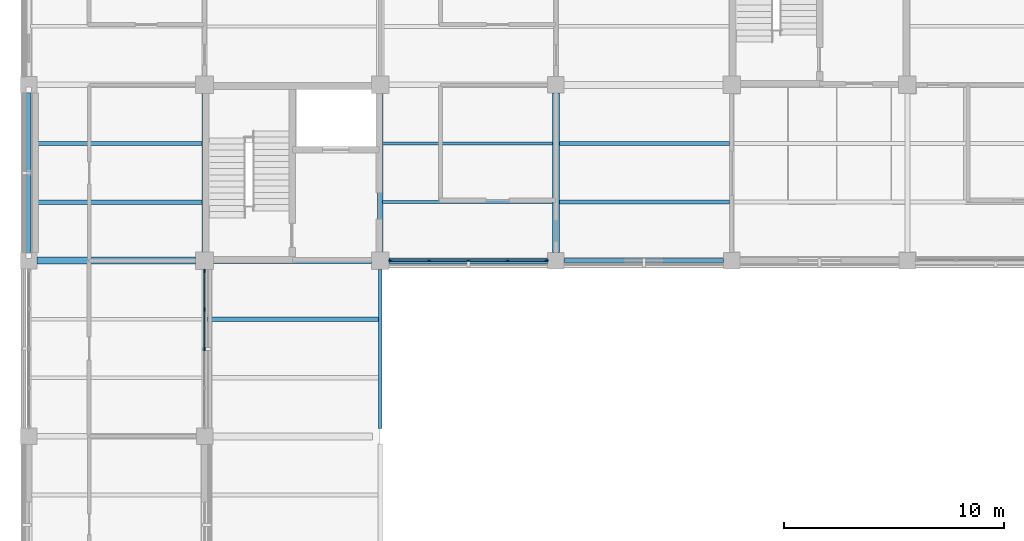
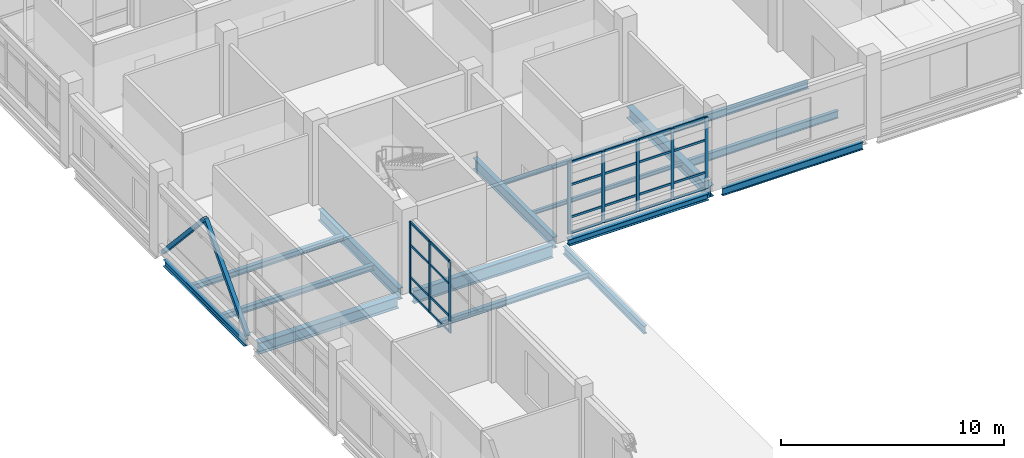
# One storey, part 32 of 121: 34 members, 16 beams, 2 elements without a shape of their own.
"""IFC4 building model written with IfcOpenShell, lengths in metres."""

from ifc_helpers import new_model, si_unit, derived_unit, direction, frame, origin, origin_2d, place, context, subcontext, project, spatial, rectangle, hollow_rectangle, i_section, extrude, material, layer, layer_set, material_profile, profile_set, type_object, element, aggregate, save


model = new_model("IFC4")

# Units and contexts
model_context = context("Model", 3, precision=1e-05, world=origin(), true_north=direction((0.0, 1.0)))
body_context = subcontext(model_context, "Body", "Model", "MODEL_VIEW")
ifc_project = project(units=[si_unit("LENGTHUNIT", "METRE"), si_unit("AREAUNIT", "SQUARE_METRE"), si_unit("VOLUMEUNIT", "CUBIC_METRE"), si_unit("PLANEANGLEUNIT", "RADIAN"), si_unit("MASSUNIT", "GRAM", prefix="KILO"), derived_unit("THERMALTRANSMITTANCEUNIT", [(si_unit("MASSUNIT", "GRAM", prefix="KILO"), 1), (si_unit("TIMEUNIT", "SECOND"), -3), (si_unit("THERMODYNAMICTEMPERATUREUNIT", "KELVIN"), -1)])], contexts=[model_context])

# Site, building, storey
site_placement = place(None, origin())
site = spatial("IfcSite", under=ifc_project, at=site_placement, CompositionType="ELEMENT")
building_placement = place(site_placement, origin())
building = spatial("IfcBuilding", under=site, at=building_placement, Name="Veyamyaing Civic Hall", CompositionType="ELEMENT")
storey_placement = place(building_placement, frame((0.0, 0.0, 5.280029296875)))
storey = spatial("IfcBuildingStorey", under=building, at=storey_placement, Name="L01", CompositionType="ELEMENT", Elevation=5.280029296875)

# Beams
ifc_material_1 = material(Name="Steel ASTM A992", Category="steel")
ifc_material_profile_1 = material_profile(ifc_material_1, i_section(OverallWidth=0.256103515625, OverallDepth=0.693115234375, WebThickness=0.014404296875, FlangeThickness=0.023681640625, FilletRadius=0.013916015625, at=origin_2d()), Name="W690X170")
ifc_profile_set_1 = profile_set([ifc_material_profile_1], Name="Steel ASTM A992")
beam_type_1 = type_object("IfcBeamType", Name="B-04", PredefinedType="BEAM", material=ifc_profile_set_1)
beam_1_placement = place(storey_placement, frame((8.39990234375, 88.0, -0.591552734375), z_axis=(1.0, 0.0, 0.0), x_axis=(0.0, 1.0, 0.0)))
element("IfcBeam", 1, at=beam_1_placement, inside=storey, type_object=beam_type_1, Name="Girder B-04 L01 Grid M 2-3", PredefinedType="BEAM", context=body_context, shape_type="SweptSolid", body=[
    extrude(i_section(OverallWidth=0.256103515625, OverallDepth=0.693115234375, WebThickness=0.014404296875, FlangeThickness=0.023681640625, FilletRadius=0.013916015625, at=origin_2d()), origin(), (0.0, 0.0, 1.0), 7.2001953125),
])
ifc_material_profile_2 = material_profile(ifc_material_1, i_section(OverallWidth=0.22998046875, OverallDepth=0.616943359375, WebThickness=0.01318359375, FlangeThickness=0.022216796875, FilletRadius=0.012939453125, at=origin_2d()), Name="W610X140")
ifc_profile_set_2 = profile_set([ifc_material_profile_2], Name="Steel ASTM A992")
beam_type_2 = type_object("IfcBeamType", Name="B-05", PredefinedType="BEAM", material=ifc_profile_set_2)
beam_2_placement = place(storey_placement, frame((8.0, 88.39990234375, -0.553466796875), z_axis=(0.0, 1.0, 0.0), x_axis=(-1.0, 0.0, 0.0)))
element("IfcBeam", 2, at=beam_2_placement, inside=storey, type_object=beam_type_2, Name="Girder B-05 L01 Grid 2 M-N", PredefinedType="BEAM", context=body_context, shape_type="SweptSolid", body=[
    extrude(i_section(OverallWidth=0.22998046875, OverallDepth=0.616943359375, WebThickness=0.01318359375, FlangeThickness=0.022216796875, FilletRadius=0.012939453125, at=origin_2d()), origin(), (0.0, 0.0, 1.0), 7.2001953125),
])
ifc_material_profile_3 = material_profile(ifc_material_1, i_section(OverallWidth=0.22802734375, OverallDepth=0.60791015625, WebThickness=0.01123046875, FlangeThickness=0.017333984375, FilletRadius=0.012939453125, at=origin_2d()), Name="W610X113")
ifc_profile_set_3 = profile_set([ifc_material_profile_3], Name="Steel ASTM A992")
beam_type_3 = type_object("IfcBeamType", Name="B-06", PredefinedType="BEAM", material=ifc_profile_set_3)
beam_3_placement = place(storey_placement, frame((16.0, 88.39990234375, -0.549072265625), z_axis=(0.0, 1.0, 0.0), x_axis=(-1.0, 0.0, 0.0)))
element("IfcBeam", 3, at=beam_3_placement, inside=storey, type_object=beam_type_3, Name="Girder B-06 L01 Grid 3 M-N", PredefinedType="BEAM", context=body_context, shape_type="SweptSolid", body=[
    extrude(i_section(OverallWidth=0.22802734375, OverallDepth=0.60791015625, WebThickness=0.01123046875, FlangeThickness=0.017333984375, FilletRadius=0.012939453125, at=origin_2d()), origin(), (0.0, 0.0, 1.0), 7.2001953125),
])
ifc_material_profile_4 = material_profile(ifc_material_1, i_section(OverallWidth=0.179931640625, OverallDepth=0.4130859375, WebThickness=0.009765625, FlangeThickness=0.01611328125, FilletRadius=0.010009765625, at=origin_2d()), Name="W410X74")
ifc_profile_set_4 = profile_set([ifc_material_profile_4], Name="Steel ASTM A992")
beam_type_4 = type_object("IfcBeamType", Name="B-10", PredefinedType="SPANDREL", material=ifc_profile_set_4)
beam_4_placement = place(storey_placement, frame((24.375, 88.0, -0.451416015625), z_axis=(1.0, 0.0, 0.0), x_axis=(0.0, 1.0, 0.0)))
element("IfcBeam", 4, at=beam_4_placement, inside=storey, type_object=beam_type_4, Name="Girder B-10 L01 Grid M 4-5", PredefinedType="SPANDREL", context=body_context, shape_type="SweptSolid", body=[
    extrude(i_section(OverallWidth=0.179931640625, OverallDepth=0.4130859375, WebThickness=0.009765625, FlangeThickness=0.01611328125, FilletRadius=0.010009765625, at=origin_2d()), origin(), (0.0, 0.0, 1.0), 7.25),
])
ifc_material_profile_5 = material_profile(ifc_material_1, i_section(OverallWidth=0.2041015625, OverallDepth=0.35009765625, WebThickness=0.0078125, FlangeThickness=0.01513671875, FilletRadius=0.010009765625, at=origin_2d()), Name="W360X72")
ifc_profile_set_5 = profile_set([ifc_material_profile_5], Name="Steel ASTM A992")
beam_type_5 = type_object("IfcBeamType", Name="B-11", PredefinedType="SPANDREL", material=ifc_profile_set_5)
beam_5_placement = place(storey_placement, frame((0.0, 88.375, -0.419921875), z_axis=(0.0, 1.0, 0.0), x_axis=(-1.0, 0.0, 0.0)))
element("IfcBeam", 5, at=beam_5_placement, inside=storey, type_object=beam_type_5, Name="Girder B-11 L01 Grid 1 M-N", PredefinedType="SPANDREL", context=body_context, shape_type="SweptSolid", body=[
    extrude(i_section(OverallWidth=0.2041015625, OverallDepth=0.35009765625, WebThickness=0.0078125, FlangeThickness=0.01513671875, FilletRadius=0.010009765625, at=origin_2d()), origin(), (0.0, 0.0, 1.0), 7.25),
])
ifc_material_profile_6 = material_profile(ifc_material_1, i_section(OverallWidth=0.324951171875, OverallDepth=0.615966796875, WebThickness=0.013916015625, FlangeThickness=0.021484375, FilletRadius=0.013916015625, at=origin_2d()), Name="W610X174")
ifc_profile_set_6 = profile_set([ifc_material_profile_6], Name="Steel ASTM A992")
beam_type_6 = type_object("IfcBeamType", Name="B-15", PredefinedType="BEAM", material=ifc_profile_set_6)
beam_6_placement = place(storey_placement, frame((0.375, 88.0, -0.552978515625), z_axis=(1.0, 0.0, 0.0), x_axis=(0.0, 1.0, 0.0)))
element("IfcBeam", 6, at=beam_6_placement, inside=storey, type_object=beam_type_6, Name="Girder B-15 L01 Grid M 1-2", PredefinedType="BEAM", context=body_context, shape_type="SweptSolid", body=[
    extrude(i_section(OverallWidth=0.324951171875, OverallDepth=0.615966796875, WebThickness=0.013916015625, FlangeThickness=0.021484375, FilletRadius=0.013916015625, at=origin_2d()), origin(), (0.0, 0.0, 1.0), 7.22509765625),
])
beam_7_placement = place(storey_placement, frame((24.0, 88.375, -0.552978515625), z_axis=(0.0, 1.0, 0.0), x_axis=(-1.0, 0.0, 0.0)))
element("IfcBeam", 7, at=beam_7_placement, inside=storey, type_object=beam_type_6, Name="Girder B-15 L01 Grid 4 M-N", PredefinedType="BEAM", context=body_context, shape_type="SweptSolid", body=[
    extrude(i_section(OverallWidth=0.324951171875, OverallDepth=0.615966796875, WebThickness=0.013916015625, FlangeThickness=0.021484375, FilletRadius=0.013916015625, at=origin_2d()), origin(), (0.0, 0.0, 1.0), 7.25),
])
ifc_material_profile_7 = material_profile(ifc_material_1, i_section(OverallWidth=0.180908203125, OverallDepth=0.4169921875, WebThickness=0.010986328125, FlangeThickness=0.018310546875, FilletRadius=0.010009765625, at=origin_2d()), Name="W410X85")
ifc_profile_set_7 = profile_set([ifc_material_profile_7], Name="Steel ASTM A992")
beam_type_7 = type_object("IfcBeamType", Name="B-19", PredefinedType="SPANDREL", material=ifc_profile_set_7)
beam_8_placement = place(storey_placement, frame((16.0, 80.35009765625, -0.448486328125), z_axis=(0.0, 1.0, 0.0), x_axis=(-1.0, 0.0, 0.0)))
element("IfcBeam", 8, at=beam_8_placement, inside=storey, type_object=beam_type_7, Name="Girder B-19 L01 Grid 3 L-M", PredefinedType="SPANDREL", context=body_context, shape_type="SweptSolid", body=[
    extrude(i_section(OverallWidth=0.180908203125, OverallDepth=0.4169921875, WebThickness=0.010986328125, FlangeThickness=0.018310546875, FilletRadius=0.010009765625, at=origin_2d()), origin(), (0.0, 0.0, 1.0), 7.25),
])
ifc_material_profile_8 = material_profile(ifc_material_1, i_section(OverallWidth=0.25390625, OverallDepth=0.35302734375, WebThickness=0.009521484375, FlangeThickness=0.016357421875, FilletRadius=0.011962890625, at=origin_2d()), Name="W360X91")
ifc_profile_set_8 = profile_set([ifc_material_profile_8], Name="Steel ASTM A992")
beam_type_8 = type_object("IfcBeamType", Name="B-20", PredefinedType="SPANDREL", material=ifc_profile_set_8)
beam_9_placement = place(storey_placement, frame((16.39990234375, 88.0, -0.421630859375), z_axis=(1.0, 0.0, 0.0), x_axis=(0.0, 1.0, 0.0)))
element("IfcBeam", 9, at=beam_9_placement, inside=storey, type_object=beam_type_8, Name="Girder B-20 L01 Grid M 3-4", PredefinedType="SPANDREL", context=body_context, shape_type="SweptSolid", body=[
    extrude(i_section(OverallWidth=0.25390625, OverallDepth=0.35302734375, WebThickness=0.009521484375, FlangeThickness=0.016357421875, FilletRadius=0.011962890625, at=origin_2d()), origin(), (0.0, 0.0, 1.0), 7.22509765625),
])

# Members
ifc_material_2 = material(Name="Steel S355J2", Category="steel")
ifc_material_profile_9 = material_profile(ifc_material_2, hollow_rectangle(XDim=0.202880859375, YDim=0.202880859375, WallThickness=0.009521484375, at=origin_2d()), Name="HSS203X203X9.5")
ifc_profile_set_9 = profile_set([ifc_material_profile_9], Name="Steel S355J2")
member_type_1 = type_object("IfcMemberType", Name="BR-03", PredefinedType="BRACE", material=ifc_profile_set_9)
for number, where, z_axis, x_axis, name in (
    (10, (0.0, 88.219970703125, 0.050048828125), (0.0, 0.676062671571, 0.736844124702), (-1.0, 0.0, 0.0), "Seismic chevron brace BR-03 BF-NW L01.L"),
    (11, (0.0, 95.780029296875, 0.050048828125), (0.0, -0.676062671571, 0.736844124702), (1.0, 0.0, 0.0), "Seismic chevron brace BR-03 BF-NW L01.R"),
):
    element("IfcMember", number, at=place(storey_placement, frame(where, z_axis=z_axis, x_axis=x_axis)), inside=storey, type_object=member_type_1, Name=name, PredefinedType="BRACE", context=body_context, shape_type="SweptSolid", body=[
        extrude(hollow_rectangle(XDim=0.202880859375, YDim=0.202880859375, WallThickness=0.009521484375, at=origin_2d()), origin(), (0.0, 0.0, 1.0), 5.59130859375),
    ])

# Curtain wall, members
ifc_material_3 = material(Name="Anodised aluminium 6063-T6", Category="aluminium")
ifc_layer = layer(ifc_material_3, 0.159912109375, Name="Anodised aluminium 6063-T6")
ifc_layer_set = layer_set([ifc_layer], Name="Anodised aluminium 6063-T6")
curtain_wall_type = type_object("IfcCurtainWallType", Name="CW-02", PredefinedType="NOTDEFINED", material=ifc_layer_set)
curtain_wall_1_placement = place(storey_placement, origin())
curtain_wall_1 = element("IfcCurtainWall", 12, at=curtain_wall_1_placement, inside=storey, type_object=curtain_wall_type, Name="Unitized curtain wall CW-02 L01 E 1.11", PredefinedType="NOTDEFINED")
ifc_material_profile_10 = material_profile(ifc_material_3, rectangle(XDim=0.06494140625, YDim=0.159912109375, at=origin_2d()), Name="ALU-MUL-65X160")
ifc_profile_set_10 = profile_set([ifc_material_profile_10], Name="Anodised aluminium 6063-T6")
member_type_2 = type_object("IfcMemberType", Name="CWM-01", PredefinedType="MULLION", material=ifc_profile_set_10)
member_1_placement = place(storey_placement, frame((8.0, 83.987548828125, 0.0), z_axis=(0.0, 0.0, 1.0), x_axis=(-1.0, 0.0, 0.0)))
member_1 = element("IfcMember", 13, at=member_1_placement, type_object=member_type_2, Name="CW-02 mullion 3", PredefinedType="MULLION", context=body_context, shape_type="SweptSolid", body=[
    extrude(rectangle(XDim=0.06494140625, YDim=0.159912109375, at=origin_2d()), origin(), (0.0, 0.0, 1.0), 3.909912109375),
])
member_2_placement = place(storey_placement, frame((8.0, 85.77880859375, 0.0), z_axis=(0.0, 0.0, 1.0), x_axis=(-1.0, 0.0, 0.0)))
member_2 = element("IfcMember", 14, at=member_2_placement, type_object=member_type_2, Name="CW-02 mullion 4", PredefinedType="MULLION", context=body_context, shape_type="SweptSolid", body=[
    extrude(rectangle(XDim=0.06494140625, YDim=0.159912109375, at=origin_2d()), origin(), (0.0, 0.0, 1.0), 3.909912109375),
])
member_3_placement = place(storey_placement, frame((8.0, 87.53759765625, 0.0), z_axis=(0.0, 0.0, 1.0), x_axis=(-1.0, 0.0, 0.0)))
member_3 = element("IfcMember", 15, at=member_3_placement, type_object=member_type_2, Name="CW-02 mullion 5", PredefinedType="MULLION", context=body_context, shape_type="SweptSolid", body=[
    extrude(rectangle(XDim=0.06494140625, YDim=0.159912109375, at=origin_2d()), origin(), (0.0, 0.0, 1.0), 3.909912109375),
])

curtain_wall_2_placement = place(storey_placement, origin())
curtain_wall_2 = element("IfcCurtainWall", 16, at=curtain_wall_2_placement, inside=storey, type_object=curtain_wall_type, Name="Unitized curtain wall CW-02 L01 S 3.12", PredefinedType="NOTDEFINED")
member_4_placement = place(storey_placement, frame((16.46240234375, 88.0, 0.0), z_axis=(0.0, 0.0, 1.0), x_axis=(0.0, 1.0, 0.0)))
member_4 = element("IfcMember", 17, at=member_4_placement, type_object=member_type_2, Name="CW-02 mullion 1", PredefinedType="MULLION", context=body_context, shape_type="SweptSolid", body=[
    extrude(rectangle(XDim=0.06494140625, YDim=0.159912109375, at=origin_2d()), origin(), (0.0, 0.0, 1.0), 3.9140625),
])
member_5_placement = place(storey_placement, frame((18.22119140625, 88.0, 0.0), z_axis=(0.0, 0.0, 1.0), x_axis=(0.0, 1.0, 0.0)))
member_5 = element("IfcMember", 18, at=member_5_placement, type_object=member_type_2, Name="CW-02 mullion 2", PredefinedType="MULLION", context=body_context, shape_type="SweptSolid", body=[
    extrude(rectangle(XDim=0.06494140625, YDim=0.159912109375, at=origin_2d()), origin(), (0.0, 0.0, 1.0), 3.9140625),
])
member_6_placement = place(storey_placement, frame((20.012451171875, 88.0, 0.0), z_axis=(0.0, 0.0, 1.0), x_axis=(0.0, 1.0, 0.0)))
member_6 = element("IfcMember", 19, at=member_6_placement, type_object=member_type_2, Name="CW-02 mullion 3", PredefinedType="MULLION", context=body_context, shape_type="SweptSolid", body=[
    extrude(rectangle(XDim=0.06494140625, YDim=0.159912109375, at=origin_2d()), origin(), (0.0, 0.0, 1.0), 3.9140625),
])
member_7_placement = place(storey_placement, frame((21.8037109375, 88.0, 0.0), z_axis=(0.0, 0.0, 1.0), x_axis=(0.0, 1.0, 0.0)))
member_7 = element("IfcMember", 20, at=member_7_placement, type_object=member_type_2, Name="CW-02 mullion 4", PredefinedType="MULLION", context=body_context, shape_type="SweptSolid", body=[
    extrude(rectangle(XDim=0.06494140625, YDim=0.159912109375, at=origin_2d()), origin(), (0.0, 0.0, 1.0), 3.9140625),
])
member_8_placement = place(storey_placement, frame((23.5625, 88.0, 0.0), z_axis=(0.0, 0.0, 1.0), x_axis=(0.0, 1.0, 0.0)))
member_8 = element("IfcMember", 21, at=member_8_placement, type_object=member_type_2, Name="CW-02 mullion 5", PredefinedType="MULLION", context=body_context, shape_type="SweptSolid", body=[
    extrude(rectangle(XDim=0.06494140625, YDim=0.159912109375, at=origin_2d()), origin(), (0.0, 0.0, 1.0), 3.9140625),
])

# Member
ifc_material_profile_11 = material_profile(ifc_material_3, rectangle(XDim=0.06494140625, YDim=0.1201171875, at=origin_2d()), Name="ALU-TRN-65X120")
ifc_profile_set_11 = profile_set([ifc_material_profile_11], Name="Anodised aluminium 6063-T6")
member_type_3 = type_object("IfcMemberType", Name="CWT-01", PredefinedType="USERDEFINED", material=ifc_profile_set_11)
member_9_placement = place(storey_placement, frame((8.0, 84.02001953125, 0.032470703125), z_axis=(0.0, 1.0, 0.0), x_axis=(-1.0, 0.0, 0.0)))
member_9 = element("IfcMember", 22, at=member_9_placement, type_object=member_type_3, Name="CW-02 transom 3.1", ObjectType="TRANSOM", PredefinedType="USERDEFINED", context=body_context, shape_type="SweptSolid", body=[
    extrude(rectangle(XDim=0.06494140625, YDim=0.1201171875, at=origin_2d()), origin(), (0.0, 0.0, 1.0), 1.726318359375),
])

member_10_placement = place(storey_placement, frame((8.0, 84.02001953125, 0.89990234375), z_axis=(0.0, 1.0, 0.0), x_axis=(-1.0, 0.0, 0.0)))
member_10 = element("IfcMember", 23, at=member_10_placement, type_object=member_type_3, Name="CW-02 transom 3.2", ObjectType="TRANSOM", PredefinedType="USERDEFINED", context=body_context, shape_type="SweptSolid", body=[
    extrude(rectangle(XDim=0.06494140625, YDim=0.1201171875, at=origin_2d()), origin(), (0.0, 0.0, 1.0), 1.726318359375),
])

member_11_placement = place(storey_placement, frame((8.0, 84.02001953125, 2.65869140625), z_axis=(0.0, 1.0, 0.0), x_axis=(-1.0, 0.0, 0.0)))
member_11 = element("IfcMember", 24, at=member_11_placement, type_object=member_type_3, Name="CW-02 transom 3.3", ObjectType="TRANSOM", PredefinedType="USERDEFINED", context=body_context, shape_type="SweptSolid", body=[
    extrude(rectangle(XDim=0.06494140625, YDim=0.1201171875, at=origin_2d()), origin(), (0.0, 0.0, 1.0), 1.726318359375),
])

member_12_placement = place(storey_placement, frame((8.0, 84.02001953125, 3.87744140625), z_axis=(0.0, 1.0, 0.0), x_axis=(-1.0, 0.0, 0.0)))
member_12 = element("IfcMember", 25, at=member_12_placement, type_object=member_type_3, Name="CW-02 transom 3.4", ObjectType="TRANSOM", PredefinedType="USERDEFINED", context=body_context, shape_type="SweptSolid", body=[
    extrude(rectangle(XDim=0.06494140625, YDim=0.1201171875, at=origin_2d()), origin(), (0.0, 0.0, 1.0), 1.726318359375),
])

member_13_placement = place(storey_placement, frame((8.0, 85.811279296875, 0.032470703125), z_axis=(0.0, 1.0, 0.0), x_axis=(-1.0, 0.0, 0.0)))
member_13 = element("IfcMember", 26, at=member_13_placement, type_object=member_type_3, Name="CW-02 transom 4.1", ObjectType="TRANSOM", PredefinedType="USERDEFINED", context=body_context, shape_type="SweptSolid", body=[
    extrude(rectangle(XDim=0.06494140625, YDim=0.1201171875, at=origin_2d()), origin(), (0.0, 0.0, 1.0), 1.693603515625),
])

member_14_placement = place(storey_placement, frame((8.0, 85.811279296875, 0.89990234375), z_axis=(0.0, 1.0, 0.0), x_axis=(-1.0, 0.0, 0.0)))
member_14 = element("IfcMember", 27, at=member_14_placement, type_object=member_type_3, Name="CW-02 transom 4.2", ObjectType="TRANSOM", PredefinedType="USERDEFINED", context=body_context, shape_type="SweptSolid", body=[
    extrude(rectangle(XDim=0.06494140625, YDim=0.1201171875, at=origin_2d()), origin(), (0.0, 0.0, 1.0), 1.693603515625),
])

member_15_placement = place(storey_placement, frame((8.0, 85.811279296875, 2.65869140625), z_axis=(0.0, 1.0, 0.0), x_axis=(-1.0, 0.0, 0.0)))
member_15 = element("IfcMember", 28, at=member_15_placement, type_object=member_type_3, Name="CW-02 transom 4.3", ObjectType="TRANSOM", PredefinedType="USERDEFINED", context=body_context, shape_type="SweptSolid", body=[
    extrude(rectangle(XDim=0.06494140625, YDim=0.1201171875, at=origin_2d()), origin(), (0.0, 0.0, 1.0), 1.693603515625),
])

member_16_placement = place(storey_placement, frame((8.0, 85.811279296875, 3.87744140625), z_axis=(0.0, 1.0, 0.0), x_axis=(-1.0, 0.0, 0.0)))
member_16 = element("IfcMember", 29, at=member_16_placement, type_object=member_type_3, Name="CW-02 transom 4.4", ObjectType="TRANSOM", PredefinedType="USERDEFINED", context=body_context, shape_type="SweptSolid", body=[
    extrude(rectangle(XDim=0.06494140625, YDim=0.1201171875, at=origin_2d()), origin(), (0.0, 0.0, 1.0), 1.693603515625),
])

aggregate(curtain_wall_1, [member_1, member_2, member_3, member_9, member_10, member_11, member_12, member_13, member_14, member_15, member_16])

member_17_placement = place(storey_placement, frame((16.4951171875, 88.0, 0.032470703125), z_axis=(1.0, 0.0, 0.0), x_axis=(0.0, 1.0, 0.0)))
member_17 = element("IfcMember", 30, at=member_17_placement, type_object=member_type_3, Name="CW-02 transom 1.1", ObjectType="TRANSOM", PredefinedType="USERDEFINED", context=body_context, shape_type="SweptSolid", body=[
    extrude(rectangle(XDim=0.06494140625, YDim=0.1201171875, at=origin_2d()), origin(), (0.0, 0.0, 1.0), 1.693603515625),
])

member_18_placement = place(storey_placement, frame((16.4951171875, 88.0, 0.89990234375), z_axis=(1.0, 0.0, 0.0), x_axis=(0.0, 1.0, 0.0)))
member_18 = element("IfcMember", 31, at=member_18_placement, type_object=member_type_3, Name="CW-02 transom 1.2", ObjectType="TRANSOM", PredefinedType="USERDEFINED", context=body_context, shape_type="SweptSolid", body=[
    extrude(rectangle(XDim=0.06494140625, YDim=0.1201171875, at=origin_2d()), origin(), (0.0, 0.0, 1.0), 1.693603515625),
])

member_19_placement = place(storey_placement, frame((16.4951171875, 88.0, 2.661376953125), z_axis=(1.0, 0.0, 0.0), x_axis=(0.0, 1.0, 0.0)))
member_19 = element("IfcMember", 32, at=member_19_placement, type_object=member_type_3, Name="CW-02 transom 1.3", ObjectType="TRANSOM", PredefinedType="USERDEFINED", context=body_context, shape_type="SweptSolid", body=[
    extrude(rectangle(XDim=0.06494140625, YDim=0.1201171875, at=origin_2d()), origin(), (0.0, 0.0, 1.0), 1.693603515625),
])

member_20_placement = place(storey_placement, frame((16.4951171875, 88.0, 3.881591796875), z_axis=(1.0, 0.0, 0.0), x_axis=(0.0, 1.0, 0.0)))
member_20 = element("IfcMember", 33, at=member_20_placement, type_object=member_type_3, Name="CW-02 transom 1.4", ObjectType="TRANSOM", PredefinedType="USERDEFINED", context=body_context, shape_type="SweptSolid", body=[
    extrude(rectangle(XDim=0.06494140625, YDim=0.1201171875, at=origin_2d()), origin(), (0.0, 0.0, 1.0), 1.693603515625),
])

member_21_placement = place(storey_placement, frame((18.253662109375, 88.0, 0.032470703125), z_axis=(1.0, 0.0, 0.0), x_axis=(0.0, 1.0, 0.0)))
member_21 = element("IfcMember", 34, at=member_21_placement, type_object=member_type_3, Name="CW-02 transom 2.1", ObjectType="TRANSOM", PredefinedType="USERDEFINED", context=body_context, shape_type="SweptSolid", body=[
    extrude(rectangle(XDim=0.06494140625, YDim=0.1201171875, at=origin_2d()), origin(), (0.0, 0.0, 1.0), 1.726318359375),
])

member_22_placement = place(storey_placement, frame((18.253662109375, 88.0, 0.89990234375), z_axis=(1.0, 0.0, 0.0), x_axis=(0.0, 1.0, 0.0)))
member_22 = element("IfcMember", 35, at=member_22_placement, type_object=member_type_3, Name="CW-02 transom 2.2", ObjectType="TRANSOM", PredefinedType="USERDEFINED", context=body_context, shape_type="SweptSolid", body=[
    extrude(rectangle(XDim=0.06494140625, YDim=0.1201171875, at=origin_2d()), origin(), (0.0, 0.0, 1.0), 1.726318359375),
])

member_23_placement = place(storey_placement, frame((18.253662109375, 88.0, 2.661376953125), z_axis=(1.0, 0.0, 0.0), x_axis=(0.0, 1.0, 0.0)))
member_23 = element("IfcMember", 36, at=member_23_placement, type_object=member_type_3, Name="CW-02 transom 2.3", ObjectType="TRANSOM", PredefinedType="USERDEFINED", context=body_context, shape_type="SweptSolid", body=[
    extrude(rectangle(XDim=0.06494140625, YDim=0.1201171875, at=origin_2d()), origin(), (0.0, 0.0, 1.0), 1.726318359375),
])

member_24_placement = place(storey_placement, frame((18.253662109375, 88.0, 3.881591796875), z_axis=(1.0, 0.0, 0.0), x_axis=(0.0, 1.0, 0.0)))
member_24 = element("IfcMember", 37, at=member_24_placement, type_object=member_type_3, Name="CW-02 transom 2.4", ObjectType="TRANSOM", PredefinedType="USERDEFINED", context=body_context, shape_type="SweptSolid", body=[
    extrude(rectangle(XDim=0.06494140625, YDim=0.1201171875, at=origin_2d()), origin(), (0.0, 0.0, 1.0), 1.726318359375),
])

member_25_placement = place(storey_placement, frame((20.044921875, 88.0, 0.032470703125), z_axis=(1.0, 0.0, 0.0), x_axis=(0.0, 1.0, 0.0)))
member_25 = element("IfcMember", 38, at=member_25_placement, type_object=member_type_3, Name="CW-02 transom 3.1", ObjectType="TRANSOM", PredefinedType="USERDEFINED", context=body_context, shape_type="SweptSolid", body=[
    extrude(rectangle(XDim=0.06494140625, YDim=0.1201171875, at=origin_2d()), origin(), (0.0, 0.0, 1.0), 1.726318359375),
])

member_26_placement = place(storey_placement, frame((20.044921875, 88.0, 0.89990234375), z_axis=(1.0, 0.0, 0.0), x_axis=(0.0, 1.0, 0.0)))
member_26 = element("IfcMember", 39, at=member_26_placement, type_object=member_type_3, Name="CW-02 transom 3.2", ObjectType="TRANSOM", PredefinedType="USERDEFINED", context=body_context, shape_type="SweptSolid", body=[
    extrude(rectangle(XDim=0.06494140625, YDim=0.1201171875, at=origin_2d()), origin(), (0.0, 0.0, 1.0), 1.726318359375),
])

member_27_placement = place(storey_placement, frame((20.044921875, 88.0, 2.661376953125), z_axis=(1.0, 0.0, 0.0), x_axis=(0.0, 1.0, 0.0)))
member_27 = element("IfcMember", 40, at=member_27_placement, type_object=member_type_3, Name="CW-02 transom 3.3", ObjectType="TRANSOM", PredefinedType="USERDEFINED", context=body_context, shape_type="SweptSolid", body=[
    extrude(rectangle(XDim=0.06494140625, YDim=0.1201171875, at=origin_2d()), origin(), (0.0, 0.0, 1.0), 1.726318359375),
])

member_28_placement = place(storey_placement, frame((20.044921875, 88.0, 3.881591796875), z_axis=(1.0, 0.0, 0.0), x_axis=(0.0, 1.0, 0.0)))
member_28 = element("IfcMember", 41, at=member_28_placement, type_object=member_type_3, Name="CW-02 transom 3.4", ObjectType="TRANSOM", PredefinedType="USERDEFINED", context=body_context, shape_type="SweptSolid", body=[
    extrude(rectangle(XDim=0.06494140625, YDim=0.1201171875, at=origin_2d()), origin(), (0.0, 0.0, 1.0), 1.726318359375),
])

member_29_placement = place(storey_placement, frame((21.836181640625, 88.0, 0.032470703125), z_axis=(1.0, 0.0, 0.0), x_axis=(0.0, 1.0, 0.0)))
member_29 = element("IfcMember", 42, at=member_29_placement, type_object=member_type_3, Name="CW-02 transom 4.1", ObjectType="TRANSOM", PredefinedType="USERDEFINED", context=body_context, shape_type="SweptSolid", body=[
    extrude(rectangle(XDim=0.06494140625, YDim=0.1201171875, at=origin_2d()), origin(), (0.0, 0.0, 1.0), 1.69384765625),
])

member_30_placement = place(storey_placement, frame((21.836181640625, 88.0, 0.89990234375), z_axis=(1.0, 0.0, 0.0), x_axis=(0.0, 1.0, 0.0)))
member_30 = element("IfcMember", 43, at=member_30_placement, type_object=member_type_3, Name="CW-02 transom 4.2", ObjectType="TRANSOM", PredefinedType="USERDEFINED", context=body_context, shape_type="SweptSolid", body=[
    extrude(rectangle(XDim=0.06494140625, YDim=0.1201171875, at=origin_2d()), origin(), (0.0, 0.0, 1.0), 1.69384765625),
])

member_31_placement = place(storey_placement, frame((21.836181640625, 88.0, 2.661376953125), z_axis=(1.0, 0.0, 0.0), x_axis=(0.0, 1.0, 0.0)))
member_31 = element("IfcMember", 44, at=member_31_placement, type_object=member_type_3, Name="CW-02 transom 4.3", ObjectType="TRANSOM", PredefinedType="USERDEFINED", context=body_context, shape_type="SweptSolid", body=[
    extrude(rectangle(XDim=0.06494140625, YDim=0.1201171875, at=origin_2d()), origin(), (0.0, 0.0, 1.0), 1.69384765625),
])

member_32_placement = place(storey_placement, frame((21.836181640625, 88.0, 3.881591796875), z_axis=(1.0, 0.0, 0.0), x_axis=(0.0, 1.0, 0.0)))
member_32 = element("IfcMember", 45, at=member_32_placement, type_object=member_type_3, Name="CW-02 transom 4.4", ObjectType="TRANSOM", PredefinedType="USERDEFINED", context=body_context, shape_type="SweptSolid", body=[
    extrude(rectangle(XDim=0.06494140625, YDim=0.1201171875, at=origin_2d()), origin(), (0.0, 0.0, 1.0), 1.69384765625),
])

aggregate(curtain_wall_2, [member_4, member_5, member_6, member_7, member_8, member_17, member_18, member_19, member_20, member_21, member_22, member_23, member_24, member_25, member_26, member_27, member_28, member_29, member_30, member_31, member_32])

# Beams
ifc_material_profile_12 = material_profile(ifc_material_1, i_section(OverallWidth=0.177978515625, OverallDepth=0.406982421875, WebThickness=0.0078125, FlangeThickness=0.0126953125, FilletRadius=0.010009765625, at=origin_2d()), Name="W410X60")
ifc_profile_set_12 = profile_set([ifc_material_profile_12], Name="Steel ASTM A992")
beam_type_9 = type_object("IfcBeamType", Name="J-01", PredefinedType="JOIST", material=ifc_profile_set_12)
for number, where, z_axis, x_axis, name in (
    (46, (24.160400390625, 90.666748046875, -0.448486328125), (1.0, 0.0, 0.0), (0.0, 1.0, 0.0), "Composite floor joist J-01 L01 4.12.1"),
    (47, (24.160400390625, 93.333251953125, -0.448486328125), (1.0, 0.0, 0.0), (0.0, 1.0, 0.0), "Composite floor joist J-01 L01 4.12.2"),
):
    element("IfcBeam", number, at=place(storey_placement, frame(where, z_axis=z_axis, x_axis=x_axis)), inside=storey, type_object=beam_type_9, Name=name, PredefinedType="JOIST", context=body_context, shape_type="SweptSolid", body=[
        extrude(i_section(OverallWidth=0.177978515625, OverallDepth=0.406982421875, WebThickness=0.0078125, FlangeThickness=0.0126953125, FilletRadius=0.010009765625, at=origin_2d()), origin(), (0.0, 0.0, 1.0), 7.734619140625),
    ])
ifc_material_profile_13 = material_profile(ifc_material_1, i_section(OverallWidth=0.2041015625, OverallDepth=0.305908203125, WebThickness=0.008544921875, FlangeThickness=0.0146484375, FilletRadius=0.010009765625, at=origin_2d()), Name="W310X67")
ifc_profile_set_13 = profile_set([ifc_material_profile_13], Name="Steel ASTM A992")
beam_type_10 = type_object("IfcBeamType", Name="J-06", PredefinedType="JOIST", material=ifc_profile_set_13)
for number, where, z_axis, x_axis, name in (
    (48, (0.10009765625, 90.666748046875, -0.39794921875), (1.0, 0.0, 0.0), (0.0, 1.0, 0.0), "Composite floor joist J-06 L01 1.12.1"),
    (49, (0.10009765625, 93.333251953125, -0.39794921875), (1.0, 0.0, 0.0), (0.0, 1.0, 0.0), "Composite floor joist J-06 L01 1.12.2"),
):
    element("IfcBeam", number, at=place(storey_placement, frame(where, z_axis=z_axis, x_axis=x_axis)), inside=storey, type_object=beam_type_10, Name=name, PredefinedType="JOIST", context=body_context, shape_type="SweptSolid", body=[
        extrude(i_section(OverallWidth=0.2041015625, OverallDepth=0.305908203125, WebThickness=0.008544921875, FlangeThickness=0.0146484375, FilletRadius=0.010009765625, at=origin_2d()), origin(), (0.0, 0.0, 1.0), 7.786865234375),
    ])
beam_10_placement = place(storey_placement, frame((8.10498046875, 85.333251953125, -0.39794921875), z_axis=(1.0, 0.0, 0.0), x_axis=(0.0, 1.0, 0.0)))
element("IfcBeam", 50, at=beam_10_placement, inside=storey, type_object=beam_type_10, Name="Composite floor joist J-06 L01 2.11.2", PredefinedType="JOIST", context=body_context, shape_type="SweptSolid", body=[
    extrude(i_section(OverallWidth=0.2041015625, OverallDepth=0.305908203125, WebThickness=0.008544921875, FlangeThickness=0.0146484375, FilletRadius=0.010009765625, at=origin_2d()), origin(), (0.0, 0.0, 1.0), 7.806640625),
])
ifc_material_profile_14 = material_profile(ifc_material_1, i_section(OverallWidth=0.133056640625, OverallDepth=0.20703125, WebThickness=0.005859375, FlangeThickness=0.00830078125, FilletRadius=0.010009765625, at=origin_2d()), Name="W200X27")
ifc_profile_set_14 = profile_set([ifc_material_profile_14], Name="Steel ASTM A992")
beam_type_11 = type_object("IfcBeamType", Name="J-08", PredefinedType="JOIST", material=ifc_profile_set_14)
for number, where, z_axis, x_axis, name in (
    (51, (16.112060546875, 90.666748046875, -0.3486328125), (1.0, 0.0, 0.0), (0.0, 1.0, 0.0), "Composite floor joist J-08 L01 3.12.1"),
    (52, (16.112060546875, 93.333251953125, -0.3486328125), (1.0, 0.0, 0.0), (0.0, 1.0, 0.0), "Composite floor joist J-08 L01 3.12.2"),
):
    element("IfcBeam", number, at=place(storey_placement, frame(where, z_axis=z_axis, x_axis=x_axis)), inside=storey, type_object=beam_type_11, Name=name, PredefinedType="JOIST", context=body_context, shape_type="SweptSolid", body=[
        extrude(i_section(OverallWidth=0.133056640625, OverallDepth=0.20703125, WebThickness=0.005859375, FlangeThickness=0.00830078125, FilletRadius=0.010009765625, at=origin_2d()), origin(), (0.0, 0.0, 1.0), 7.7275390625),
    ])

save(model, "model.ifc")
